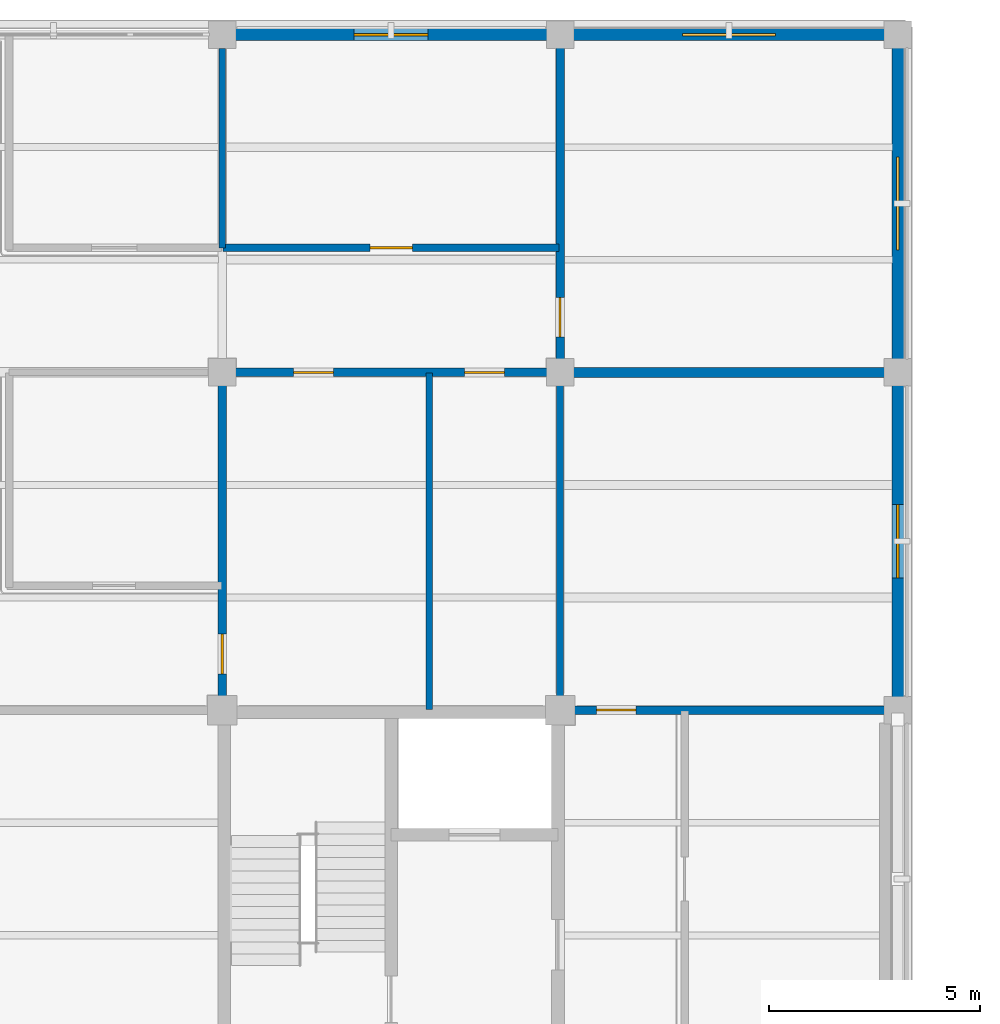
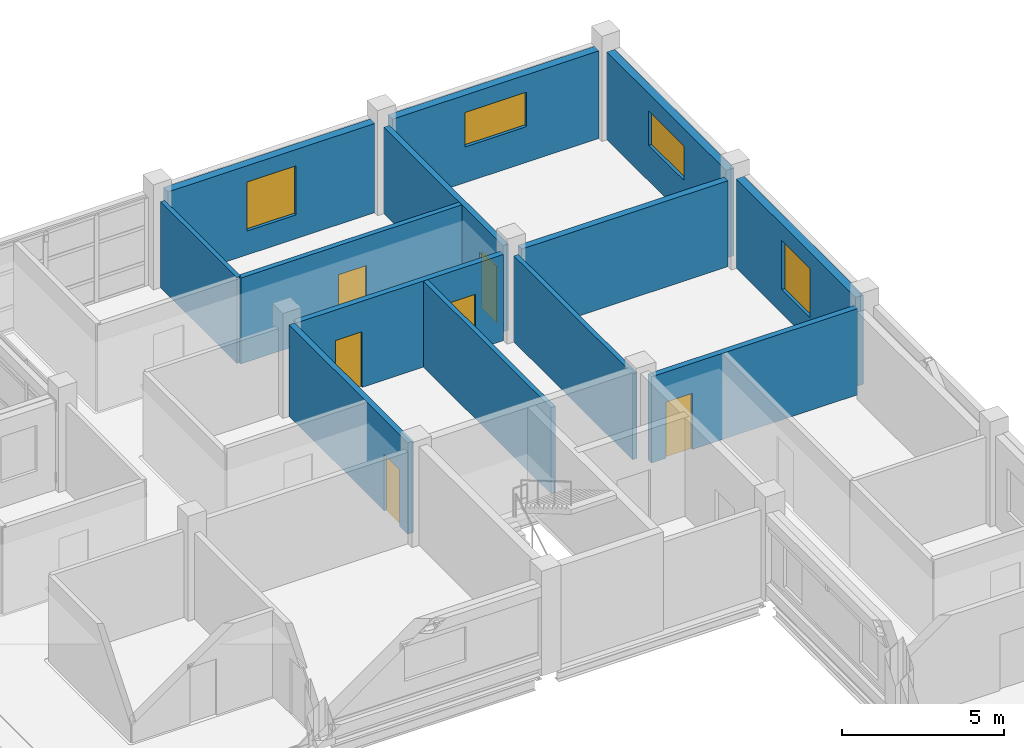
# One storey, part 88 of 107: 13 walls, 6 doors, 4 windows, 10 openings.
"""IFC4 building model written with IfcOpenShell, lengths in metres."""

from ifc_helpers import new_model, si_unit, derived_unit, direction, frame, frame_2d, origin, place, context, subcontext, project, spatial, rectangle, extrude, material, layer, layer_set, type_object, element, fill, save


model = new_model("IFC4")

# Units and contexts
model_context = context("Model", 3, precision=1e-05, world=origin(), true_north=direction((0.0, 1.0)))
body_context = subcontext(model_context, "Body", "Model", "MODEL_VIEW")
ifc_project = project(units=[si_unit("LENGTHUNIT", "METRE"), si_unit("AREAUNIT", "SQUARE_METRE"), si_unit("VOLUMEUNIT", "CUBIC_METRE"), si_unit("PLANEANGLEUNIT", "RADIAN"), si_unit("MASSUNIT", "GRAM", prefix="KILO"), derived_unit("THERMALTRANSMITTANCEUNIT", [(si_unit("MASSUNIT", "GRAM", prefix="KILO"), 1), (si_unit("TIMEUNIT", "SECOND"), -3), (si_unit("THERMODYNAMICTEMPERATUREUNIT", "KELVIN"), -1)])], contexts=[model_context])

# Site, building, storey
site_placement = place(None, origin())
site = spatial("IfcSite", under=ifc_project, at=site_placement, CompositionType="ELEMENT")
building_placement = place(site_placement, origin())
building = spatial("IfcBuilding", under=site, at=building_placement, Name="Veyamyaing Civic Hall", CompositionType="ELEMENT")
storey_placement = place(building_placement, frame((0.0, 0.0, 13.860107421875)))
storey = spatial("IfcBuildingStorey", under=building, at=storey_placement, Name="L03", CompositionType="ELEMENT", Elevation=13.860107421875)

# Wall, opening, window
ifc_material_1 = material(Name="Precast concrete C40/50", Category="concrete")
ifc_layer_1 = layer(ifc_material_1, 0.280029296875, Name="Precast concrete C40/50")
ifc_layer_set_1 = layer_set([ifc_layer_1], Name="Precast concrete C40/50")
wall_type_1 = type_object("IfcWallType", Name="WT-04", PredefinedType="SOLIDWALL", material=ifc_layer_set_1)
wall_1_placement = place(storey_placement, frame((160.31005859375, 112.0, 0.0), z_axis=(0.0, 0.0, 1.0), x_axis=(1.0, 0.0, 0.0)))
wall_1 = element("IfcWall", 1, at=wall_1_placement, inside=storey, type_object=wall_type_1, Name="Exterior facade wall WT-04 L03 N 21.14", PredefinedType="SOLIDWALL", context=body_context, shape_type="SweptSolid", body=[
    extrude(rectangle(XDim=7.3798828125, YDim=0.280029296875, at=frame_2d((3.68994140625, 0.0))), origin(), (0.0, 0.0, 1.0), 3.364013671875),
])
opening_1_placement = place(wall_1_placement, frame((2.81494140625, 0.0, 0.89990234375)))
opening_1 = element("IfcOpeningElement", 2, at=opening_1_placement, cuts=wall_1, Name="Opening W-28", PredefinedType="OPENING", context=body_context, shape_type="SweptSolid", body=[
    extrude(rectangle(XDim=1.75, YDim=1.85009765625, at=frame_2d((0.875, 0.925048828125))), frame((0.0, 0.14990234375, 0.0), z_axis=(0.0, -1.0, 0.0), x_axis=(1.0, 0.0, 0.0)), (0.0, 0.0, 1.0), 0.300048828125),
])
ifc_material_2 = material(Name="Low-E insulated glass", Category="glass")
window_type_1 = type_object("IfcWindowType", Name="W-28", PartitioningType="SINGLE_PANEL", PredefinedType="WINDOW", material=ifc_material_2)
window_1_placement = place(opening_1_placement, origin())
window_1 = element("IfcWindow", 3, at=window_1_placement, inside=storey, type_object=window_type_1, Name="Facade window W-28 L03 N 21.14", OverallHeight=1.85009765625, OverallWidth=1.75, PartitioningType="SINGLE_PANEL", PredefinedType="WINDOW", context=body_context, shape_type="SweptSolid", body=[
    extrude(rectangle(XDim=1.75, YDim=1.85009765625, at=frame_2d((0.875, 0.925048828125))), frame((0.0, 0.030029296875, 0.0), z_axis=(0.0, -1.0, 0.0), x_axis=(1.0, 0.0, 0.0)), (0.0, 0.0, 1.0), 0.06005859375),
])
fill(opening_1, window_1)

wall_2_placement = place(storey_placement, frame((176.0, 96.31005859375, 0.0), z_axis=(0.0, 0.0, 1.0), x_axis=(0.0, 1.0, 0.0)))
wall_2 = element("IfcWall", 4, at=wall_2_placement, inside=storey, type_object=wall_type_1, Name="Exterior facade wall WT-04 L03 E 22.13", PredefinedType="SOLIDWALL", context=body_context, shape_type="SweptSolid", body=[
    extrude(rectangle(XDim=7.3798828125, YDim=0.280029296875, at=frame_2d((3.68994140625, 0.0))), origin(), (0.0, 0.0, 1.0), 3.364013671875),
])
opening_2_placement = place(wall_2_placement, frame((2.81494140625, 0.0, 0.89990234375)))
opening_2 = element("IfcOpeningElement", 5, at=opening_2_placement, cuts=wall_2, Name="Opening W-28", PredefinedType="OPENING", context=body_context, shape_type="SweptSolid", body=[
    extrude(rectangle(XDim=1.75, YDim=1.85009765625, at=frame_2d((0.875, 0.925048828125))), frame((0.0, 0.14990234375, 0.0), z_axis=(0.0, -1.0, 0.0), x_axis=(1.0, 0.0, 0.0)), (0.0, 0.0, 1.0), 0.300048828125),
])
window_2_placement = place(opening_2_placement, origin())
window_2 = element("IfcWindow", 6, at=window_2_placement, inside=storey, type_object=window_type_1, Name="Facade window W-28 L03 E 22.13", OverallHeight=1.85009765625, OverallWidth=1.75, PartitioningType="SINGLE_PANEL", PredefinedType="WINDOW", context=body_context, shape_type="SweptSolid", body=[
    extrude(rectangle(XDim=1.75, YDim=1.85009765625, at=frame_2d((0.875, 0.925048828125))), frame((0.0, 0.030029296875, 0.0), z_axis=(0.0, -1.0, 0.0), x_axis=(1.0, 0.0, 0.0)), (0.0, 0.0, 1.0), 0.06005859375),
])
fill(opening_2, window_2)

wall_3_placement = place(storey_placement, frame((168.31005859375, 112.0, 0.0), z_axis=(0.0, 0.0, 1.0), x_axis=(1.0, 0.0, 0.0)))
wall_3 = element("IfcWall", 7, at=wall_3_placement, inside=storey, type_object=wall_type_1, Name="Exterior facade wall WT-04 L03 N 22.14", PredefinedType="SOLIDWALL", context=body_context, shape_type="SweptSolid", body=[
    extrude(rectangle(XDim=7.3798828125, YDim=0.280029296875, at=frame_2d((3.68994140625, 0.0))), origin(), (0.0, 0.0, 1.0), 3.303955078125),
])
opening_3_placement = place(wall_3_placement, frame((2.590087890625, 0.0, 1.35009765625)))
opening_3 = element("IfcOpeningElement", 8, at=opening_3_placement, cuts=wall_3, Name="Opening W-18", PredefinedType="OPENING", context=body_context, shape_type="SweptSolid", body=[
    extrude(rectangle(XDim=2.199951171875, YDim=1.300048828125, at=frame_2d((1.10009765625, 0.64990234375))), frame((0.0, 0.14990234375, 0.0), z_axis=(0.0, -1.0, 0.0), x_axis=(1.0, 0.0, 0.0)), (0.0, 0.0, 1.0), 0.300048828125),
])
window_type_2 = type_object("IfcWindowType", Name="W-18", PartitioningType="SINGLE_PANEL", PredefinedType="WINDOW", material=ifc_material_2)
window_3_placement = place(opening_3_placement, origin())
window_3 = element("IfcWindow", 9, at=window_3_placement, inside=storey, type_object=window_type_2, Name="Facade window W-18 L03 N 22.14", OverallHeight=1.300048828125, OverallWidth=2.199951171875, PartitioningType="SINGLE_PANEL", PredefinedType="WINDOW", context=body_context, shape_type="SweptSolid", body=[
    extrude(rectangle(XDim=2.199951171875, YDim=1.300048828125, at=frame_2d((1.10009765625, 0.64990234375))), frame((0.0, 0.030029296875, 0.0), z_axis=(0.0, -1.0, 0.0), x_axis=(1.0, 0.0, 0.0)), (0.0, 0.0, 1.0), 0.06005859375),
])
fill(opening_3, window_3)

wall_4_placement = place(storey_placement, frame((176.0, 104.31005859375, 0.0), z_axis=(0.0, 0.0, 1.0), x_axis=(0.0, 1.0, 0.0)))
wall_4 = element("IfcWall", 10, at=wall_4_placement, inside=storey, type_object=wall_type_1, Name="Exterior facade wall WT-04 L03 E 22.14", PredefinedType="SOLIDWALL", context=body_context, shape_type="SweptSolid", body=[
    extrude(rectangle(XDim=7.3798828125, YDim=0.280029296875, at=frame_2d((3.68994140625, 0.0))), origin(), (0.0, 0.0, 1.0), 3.303955078125),
])
opening_4_placement = place(wall_4_placement, frame((2.590087890625, 0.0, 1.35009765625)))
opening_4 = element("IfcOpeningElement", 11, at=opening_4_placement, cuts=wall_4, Name="Opening W-18", PredefinedType="OPENING", context=body_context, shape_type="SweptSolid", body=[
    extrude(rectangle(XDim=2.199951171875, YDim=1.300048828125, at=frame_2d((1.10009765625, 0.64990234375))), frame((0.0, 0.14990234375, 0.0), z_axis=(0.0, -1.0, 0.0), x_axis=(1.0, 0.0, 0.0)), (0.0, 0.0, 1.0), 0.300048828125),
])
window_4_placement = place(opening_4_placement, origin())
window_4 = element("IfcWindow", 12, at=window_4_placement, inside=storey, type_object=window_type_2, Name="Facade window W-18 L03 E 22.14", OverallHeight=1.300048828125, OverallWidth=2.199951171875, PartitioningType="SINGLE_PANEL", PredefinedType="WINDOW", context=body_context, shape_type="SweptSolid", body=[
    extrude(rectangle(XDim=2.199951171875, YDim=1.300048828125, at=frame_2d((1.10009765625, 0.64990234375))), frame((0.0, 0.030029296875, 0.0), z_axis=(0.0, -1.0, 0.0), x_axis=(1.0, 0.0, 0.0)), (0.0, 0.0, 1.0), 0.06005859375),
])
fill(opening_4, window_4)

# Wall, opening, door
ifc_material_3 = material(Name="Concrete C40/50", Category="concrete")
ifc_layer_2 = layer(ifc_material_3, 0.199951171875, Name="Concrete C40/50")
ifc_layer_set_2 = layer_set([ifc_layer_2], Name="Concrete C40/50")
wall_type_2 = type_object("IfcWallType", Name="WT-06", PredefinedType="PARTITIONING", material=ifc_layer_set_2)
wall_5_placement = place(storey_placement, frame((160.0, 96.340087890625, 0.0), z_axis=(0.0, 0.0, 1.0), x_axis=(0.0, 1.0, 0.0)))
wall_5 = element("IfcWall", 13, at=wall_5_placement, inside=storey, type_object=wall_type_2, Name="Interior partition wall WT-06 L03.26", PredefinedType="PARTITIONING", context=body_context, shape_type="SweptSolid", body=[
    extrude(rectangle(XDim=7.344970703125, YDim=0.199951171875, at=frame_2d((3.67236328125, 0.0))), origin(), (0.0, 0.0, 1.0), 3.451904296875),
])
opening_5_placement = place(wall_5_placement, frame((0.52001953125, 0.0, 0.0)))
opening_5 = element("IfcOpeningElement", 14, at=opening_5_placement, cuts=wall_5, Name="Opening D-30", PredefinedType="OPENING", context=body_context, shape_type="SweptSolid", body=[
    extrude(rectangle(XDim=0.93994140625, YDim=2.1201171875, at=frame_2d((0.469970703125, 1.06005859375))), frame((0.0, 0.10986328125, 0.0), z_axis=(0.0, -1.0, 0.0), x_axis=(1.0, 0.0, 0.0)), (0.0, 0.0, 1.0), 0.219970703125),
])
ifc_material_4 = material(Name="Teak-veneered acoustic timber", Category="wood")
door_type_1 = type_object("IfcDoorType", Name="D-30", OperationType="NOTDEFINED", PredefinedType="DOOR", material=ifc_material_4)
door_1_placement = place(opening_5_placement, frame((0.93994140625, 0.0, 0.0), z_axis=(0.0, 0.0, 1.0), x_axis=(-1.0, 0.0, 0.0)))
door_1 = element("IfcDoor", 15, at=door_1_placement, inside=storey, type_object=door_type_1, Name="Interior door D-30 L03.26", OperationType="SINGLE_SWING_LEFT", OverallHeight=2.1201171875, OverallWidth=0.93994140625, PredefinedType="DOOR", context=body_context, shape_type="SweptSolid", body=[
    extrude(rectangle(XDim=0.93994140625, YDim=2.1201171875, at=frame_2d((0.469970703125, 1.06005859375))), frame((0.0, 0.02490234375, 0.0), z_axis=(0.0, -1.0, 0.0), x_axis=(1.0, 0.0, 0.0)), (0.0, 0.0, 1.0), 0.050048828125),
])
fill(opening_5, door_1)

# Wall, openings, doors
wall_6_placement = place(storey_placement, frame((160.31494140625, 104.0, 0.0), z_axis=(0.0, 0.0, 1.0), x_axis=(1.0, 0.0, 0.0)))
wall_6 = element("IfcWall", 16, at=wall_6_placement, inside=storey, type_object=wall_type_2, Name="Interior partition wall WT-06 L03.32", PredefinedType="PARTITIONING", context=body_context, shape_type="SweptSolid", body=[
    extrude(rectangle(XDim=7.3701171875, YDim=0.199951171875, at=frame_2d((3.68505859375, 0.0))), origin(), (0.0, 0.0, 1.0), 3.2529296875),
])
opening_6_placement = place(wall_6_placement, frame((1.367431640625, 0.0, 0.0)))
opening_6 = element("IfcOpeningElement", 17, at=opening_6_placement, cuts=wall_6, Name="Opening D-15", PredefinedType="OPENING", context=body_context, shape_type="SweptSolid", body=[
    extrude(rectangle(XDim=0.949951171875, YDim=2.10009765625, at=frame_2d((0.47509765625, 1.050048828125))), frame((0.0, 0.10986328125, 0.0), z_axis=(0.0, -1.0, 0.0), x_axis=(1.0, 0.0, 0.0)), (0.0, 0.0, 1.0), 0.219970703125),
])
opening_7_placement = place(wall_6_placement, frame((5.4208984375, 0.0, 0.0)))
opening_7 = element("IfcOpeningElement", 18, at=opening_7_placement, cuts=wall_6, Name="Opening D-15", PredefinedType="OPENING", context=body_context, shape_type="SweptSolid", body=[
    extrude(rectangle(XDim=0.949951171875, YDim=2.10009765625, at=frame_2d((0.47509765625, 1.050048828125))), frame((0.0, 0.10986328125, 0.0), z_axis=(0.0, -1.0, 0.0), x_axis=(1.0, 0.0, 0.0)), (0.0, 0.0, 1.0), 0.219970703125),
])
door_type_2 = type_object("IfcDoorType", Name="D-15", OperationType="NOTDEFINED", PredefinedType="DOOR", material=ifc_material_4)
door_2_placement = place(opening_6_placement, frame((0.949951171875, 0.0, 0.0), z_axis=(0.0, 0.0, 1.0), x_axis=(-1.0, 0.0, 0.0)))
door_2 = element("IfcDoor", 19, at=door_2_placement, inside=storey, type_object=door_type_2, Name="Interior room door D-15 L03.32.1", OperationType="SINGLE_SWING_LEFT", OverallHeight=2.10009765625, OverallWidth=0.949951171875, PredefinedType="DOOR", context=body_context, shape_type="SweptSolid", body=[
    extrude(rectangle(XDim=0.949951171875, YDim=2.10009765625, at=frame_2d((0.47509765625, 1.050048828125))), frame((0.0, 0.02490234375, 0.0), z_axis=(0.0, -1.0, 0.0), x_axis=(1.0, 0.0, 0.0)), (0.0, 0.0, 1.0), 0.050048828125),
])
fill(opening_6, door_2)
door_3_placement = place(opening_7_placement, frame((0.949951171875, 0.0, 0.0), z_axis=(0.0, 0.0, 1.0), x_axis=(-1.0, 0.0, 0.0)))
door_3 = element("IfcDoor", 20, at=door_3_placement, inside=storey, type_object=door_type_2, Name="Interior room door D-15 L03.32.2", OperationType="SINGLE_SWING_RIGHT", OverallHeight=2.10009765625, OverallWidth=0.949951171875, PredefinedType="DOOR", context=body_context, shape_type="SweptSolid", body=[
    extrude(rectangle(XDim=0.949951171875, YDim=2.10009765625, at=frame_2d((0.47509765625, 1.050048828125))), frame((0.0, 0.02490234375, 0.0), z_axis=(0.0, -1.0, 0.0), x_axis=(1.0, 0.0, 0.0)), (0.0, 0.0, 1.0), 0.050048828125),
])
fill(opening_7, door_3)

# Wall, opening, door
wall_7_placement = place(storey_placement, frame((168.0, 104.31494140625, 0.0), z_axis=(0.0, 0.0, 1.0), x_axis=(0.0, 1.0, 0.0)))
wall_7 = element("IfcWall", 21, at=wall_7_placement, inside=storey, type_object=wall_type_2, Name="Interior partition wall WT-06 L03.33", PredefinedType="PARTITIONING", context=body_context, shape_type="SweptSolid", body=[
    extrude(rectangle(XDim=7.3701171875, YDim=0.199951171875, at=frame_2d((3.68505859375, 0.0))), origin(), (0.0, 0.0, 1.0), 3.2529296875),
])
opening_8_placement = place(wall_7_placement, frame((0.52001953125, 0.0, 0.0)))
opening_8 = element("IfcOpeningElement", 22, at=opening_8_placement, cuts=wall_7, Name="Opening D-30", PredefinedType="OPENING", context=body_context, shape_type="SweptSolid", body=[
    extrude(rectangle(XDim=0.93994140625, YDim=2.1201171875, at=frame_2d((0.469970703125, 1.06005859375))), frame((0.0, 0.10986328125, 0.0), z_axis=(0.0, -1.0, 0.0), x_axis=(1.0, 0.0, 0.0)), (0.0, 0.0, 1.0), 0.219970703125),
])
door_4_placement = place(opening_8_placement, frame((0.93994140625, 0.0, 0.0), z_axis=(0.0, 0.0, 1.0), x_axis=(-1.0, 0.0, 0.0)))
door_4 = element("IfcDoor", 23, at=door_4_placement, inside=storey, type_object=door_type_1, Name="Interior door D-30 L03.33", OperationType="SINGLE_SWING_LEFT", OverallHeight=2.1201171875, OverallWidth=0.93994140625, PredefinedType="DOOR", context=body_context, shape_type="SweptSolid", body=[
    extrude(rectangle(XDim=0.93994140625, YDim=2.1201171875, at=frame_2d((0.469970703125, 1.06005859375))), frame((0.0, 0.02490234375, 0.0), z_axis=(0.0, -1.0, 0.0), x_axis=(1.0, 0.0, 0.0)), (0.0, 0.0, 1.0), 0.050048828125),
])
fill(opening_8, door_4)

wall_8_placement = place(storey_placement, frame((168.340087890625, 96.0, 0.0), z_axis=(0.0, 0.0, 1.0), x_axis=(1.0, 0.0, 0.0)))
wall_8 = element("IfcWall", 24, at=wall_8_placement, inside=storey, type_object=wall_type_2, Name="Interior partition wall WT-06 L03.40", PredefinedType="PARTITIONING", context=body_context, shape_type="SweptSolid", body=[
    extrude(rectangle(XDim=7.344970703125, YDim=0.199951171875, at=frame_2d((3.67236328125, 0.0))), origin(), (0.0, 0.0, 1.0), 3.2529296875),
])
opening_9_placement = place(wall_8_placement, frame((0.52001953125, 0.0, 0.0)))
opening_9 = element("IfcOpeningElement", 25, at=opening_9_placement, cuts=wall_8, Name="Opening D-30", PredefinedType="OPENING", context=body_context, shape_type="SweptSolid", body=[
    extrude(rectangle(XDim=0.93994140625, YDim=2.1201171875, at=frame_2d((0.469970703125, 1.06005859375))), frame((0.0, 0.10986328125, 0.0), z_axis=(0.0, -1.0, 0.0), x_axis=(1.0, 0.0, 0.0)), (0.0, 0.0, 1.0), 0.219970703125),
])
door_5_placement = place(opening_9_placement, origin())
door_5 = element("IfcDoor", 26, at=door_5_placement, inside=storey, type_object=door_type_1, Name="Interior door D-30 L03.40", OperationType="SINGLE_SWING_RIGHT", OverallHeight=2.1201171875, OverallWidth=0.93994140625, PredefinedType="DOOR", context=body_context, shape_type="SweptSolid", body=[
    extrude(rectangle(XDim=0.93994140625, YDim=2.1201171875, at=frame_2d((0.469970703125, 1.06005859375))), frame((0.0, 0.02490234375, 0.0), z_axis=(0.0, -1.0, 0.0), x_axis=(1.0, 0.0, 0.0)), (0.0, 0.0, 1.0), 0.050048828125),
])
fill(opening_9, door_5)

ifc_material_5 = material(Name="Gypsum board on acoustic steel stud", Category="steel")
ifc_layer_3 = layer(ifc_material_5, 0.175048828125, Name="Gypsum board on acoustic steel stud")
ifc_layer_set_3 = layer_set([ifc_layer_3], Name="Gypsum board on acoustic steel stud")
wall_type_3 = type_object("IfcWallType", Name="WT-07", PredefinedType="PARTITIONING", material=ifc_layer_set_3)
wall_9_placement = place(storey_placement, frame((160.02001953125, 106.949951171875, 0.0), z_axis=(0.0, 0.0, 1.0), x_axis=(1.0, 0.0, 0.0)))
wall_9 = element("IfcWall", 27, at=wall_9_placement, inside=storey, type_object=wall_type_3, Name="Corridor gallery partition WT-07 L03.57.1", PredefinedType="PARTITIONING", context=body_context, shape_type="SweptSolid", body=[
    extrude(rectangle(XDim=7.9599609375, YDim=0.175048828125, at=frame_2d((3.97998046875, 0.0))), origin(), (0.0, 0.0, 1.0), 3.246826171875),
])
opening_10_placement = place(wall_9_placement, frame((3.47998046875, 0.0, 0.0)))
opening_10 = element("IfcOpeningElement", 28, at=opening_10_placement, cuts=wall_9, Name="Opening D-13", PredefinedType="OPENING", context=body_context, shape_type="SweptSolid", body=[
    extrude(rectangle(XDim=1.0, YDim=2.14990234375, at=frame_2d((0.5, 1.074951171875))), frame((0.0, 0.097412109375, 0.0), z_axis=(0.0, -1.0, 0.0), x_axis=(1.0, 0.0, 0.0)), (0.0, 0.0, 1.0), 0.195068359375),
])
door_type_3 = type_object("IfcDoorType", Name="D-13", OperationType="NOTDEFINED", PredefinedType="DOOR", material=ifc_material_4)
door_6_placement = place(opening_10_placement, origin())
door_6 = element("IfcDoor", 29, at=door_6_placement, inside=storey, type_object=door_type_3, Name="Gallery office door D-13 L03.57", OperationType="SINGLE_SWING_LEFT", OverallHeight=2.14990234375, OverallWidth=1.0, PredefinedType="DOOR", context=body_context, shape_type="SweptSolid", body=[
    extrude(rectangle(XDim=1.0, YDim=2.14990234375, at=frame_2d((0.5, 1.074951171875))), frame((0.0, 0.02490234375, 0.0), z_axis=(0.0, -1.0, 0.0), x_axis=(1.0, 0.0, 0.0)), (0.0, 0.0, 1.0), 0.050048828125),
])
fill(opening_10, door_6)

# Walls
ifc_material_6 = material(Name="Gypsum board on steel stud", Category="steel")
ifc_layer_4 = layer(ifc_material_6, 0.14990234375, Name="Gypsum board on steel stud")
ifc_layer_set_4 = layer_set([ifc_layer_4], Name="Gypsum board on steel stud")
wall_type_4 = type_object("IfcWallType", Name="WT-08", PredefinedType="PARTITIONING", material=ifc_layer_set_4)
wall_10_placement = place(storey_placement, frame((160.0, 106.949951171875, 0.0), z_axis=(0.0, 0.0, 1.0), x_axis=(0.0, 1.0, 0.0)))
element("IfcWall", 30, at=wall_10_placement, inside=storey, type_object=wall_type_4, Name="Gallery office end partition WT-08 L03.50.2", PredefinedType="PARTITIONING", context=body_context, shape_type="SweptSolid", body=[
    extrude(rectangle(XDim=4.715087890625, YDim=0.14990234375, at=frame_2d((2.357421875, 0.0))), origin(), (0.0, 0.0, 1.0), 3.246826171875),
])
ifc_layer_5 = layer(ifc_material_3, 0.235107421875, Name="Concrete C40/50")
ifc_layer_set_5 = layer_set([ifc_layer_5], Name="Concrete C40/50")
wall_type_5 = type_object("IfcWallType", Name="WT-13", PredefinedType="PARTITIONING", material=ifc_layer_set_5)
wall_11_placement = place(storey_placement, frame((168.31494140625, 104.0, 0.0), z_axis=(0.0, 0.0, 1.0), x_axis=(1.0, 0.0, 0.0)))
element("IfcWall", 31, at=wall_11_placement, inside=storey, type_object=wall_type_5, Name="Interior partition wall WT-13 L03.41", PredefinedType="PARTITIONING", context=body_context, shape_type="SweptSolid", body=[
    extrude(rectangle(XDim=7.3701171875, YDim=0.235107421875, at=frame_2d((3.68505859375, 0.0))), origin(), (0.0, 0.0, 1.0), 3.240966796875),
])
ifc_material_7 = material(Name="Cement-board wet-area partition")
ifc_layer_6 = layer(ifc_material_7, 0.159912109375, Name="Cement-board wet-area partition")
ifc_layer_set_6 = layer_set([ifc_layer_6], Name="Cement-board wet-area partition")
wall_type_6 = type_object("IfcWallType", Name="WT-14", PredefinedType="PARTITIONING", material=ifc_layer_set_6)
wall_12_placement = place(storey_placement, frame((168.0, 96.340087890625, 0.0), z_axis=(0.0, 0.0, 1.0), x_axis=(0.0, 1.0, 0.0)))
element("IfcWall", 32, at=wall_12_placement, inside=storey, type_object=wall_type_6, Name="Interior partition wall WT-14 L03.31", PredefinedType="PARTITIONING", context=body_context, shape_type="SweptSolid", body=[
    extrude(rectangle(XDim=7.344970703125, YDim=0.159912109375, at=frame_2d((3.67236328125, 0.0))), origin(), (0.0, 0.0, 1.0), 3.246826171875),
])
wall_13_placement = place(storey_placement, frame((164.89990234375, 96.02001953125, 0.0), z_axis=(0.0, 0.0, 1.0), x_axis=(0.0, 1.0, 0.0)))
element("IfcWall", 33, at=wall_13_placement, inside=storey, type_object=wall_type_6, Name="Sub-bay room partition WT-14 L03.4", PredefinedType="PARTITIONING", context=body_context, shape_type="SweptSolid", body=[
    extrude(rectangle(XDim=7.9599609375, YDim=0.159912109375, at=frame_2d((3.97998046875, 0.0))), origin(), (0.0, 0.0, 1.0), 3.246826171875),
])

save(model, "model.ifc")
